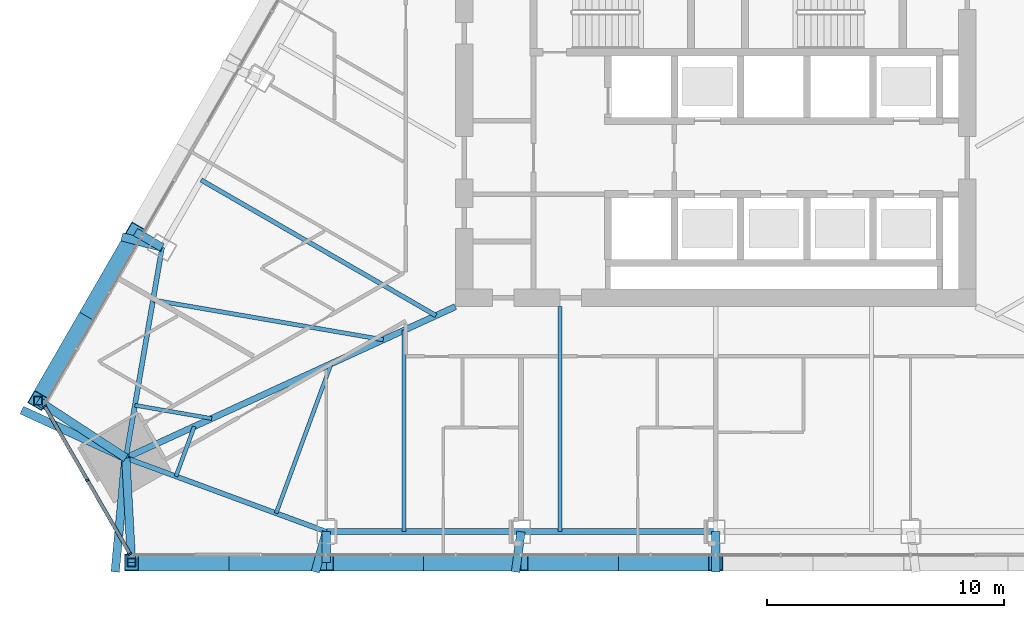
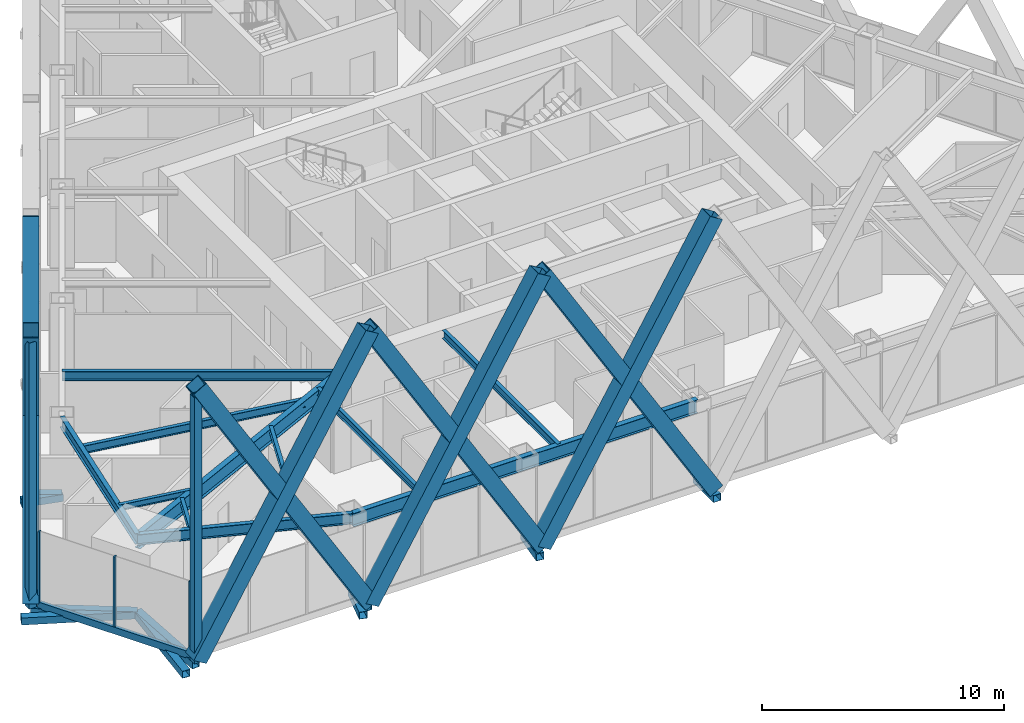
# One storey, part 2 of 19: 24 members, 11 beams, 1 element without a shape of its own.
"""IFC4 building model written with IfcOpenShell, lengths in metres."""

import ifcopenshell
import ifcopenshell.guid

model = None  # the IFC model being written
_history = None  # IfcOwnerHistory: only IFC2X3 demands one
_inside = {}  # id of a spatial element -> (the spatial element, [elements in it])
_under = {}  # id of a project, library or spatial element -> (it, [spatial elements below it])
_declared = {}  # id of a project -> (the project, [libraries it declares])
_typed = {}  # id of a type object -> (the type object, [elements of that type])
_made_of = {}  # id of a material, layer set ... -> (it, [elements and type objects made of it])


def new_model(schema):
    """Start an empty IFC model of exactly this schema.

    Asked for "IFC4X3", IfcOpenShell would pick the latest addendum, in which some entities
    have other attributes; the version numbers below select the first issue.
    IFC2X3 requires an IfcOwnerHistory on every rooted entity: one is made here for all.
    """
    global model, _history
    if schema == "IFC4X3":
        model = ifcopenshell.file(schema_version=(4, 3, 0, 0))
    else:
        model = ifcopenshell.file(schema=schema)
    _inside.clear()
    _under.clear()
    _declared.clear()
    _typed.clear()
    _made_of.clear()
    _history = None
    if model.schema == "IFC2X3":
        org = make("IfcOrganization", Name="unknown")
        user = make(
            "IfcPersonAndOrganization",
            ThePerson=make("IfcPerson", FamilyName="unknown"),
            TheOrganization=org,
        )
        app = make(
            "IfcApplication",
            ApplicationDeveloper=org,
            Version="unknown",
            ApplicationFullName="unknown",
            ApplicationIdentifier="unknown",
        )
        _history = make(
            "IfcOwnerHistory",
            OwningUser=user,
            OwningApplication=app,
            ChangeAction="ADDED",
            CreationDate=0,
        )
    return model


def make(cls, **values):
    """One entity of the class cls with the attributes given. An attribute that is None is left unset."""
    return model.create_entity(
        cls, **{name: value for name, value in values.items() if value is not None}
    )


def rooted(cls, **values):
    """An entity with a GlobalId (a new one), such as an element, a storey or a relation."""
    return make(cls, GlobalId=ifcopenshell.guid.new(), OwnerHistory=_history, **values)


def si_unit(unit_type, name, prefix=None):
    """IfcSIUnit, for example si_unit("LENGTHUNIT", "METRE", prefix="MILLI")."""
    return make("IfcSIUnit", UnitType=unit_type, Prefix=prefix, Name=name)


def assignment(units):
    """IfcUnitAssignment: the units of a project."""
    return None if units is None else make("IfcUnitAssignment", Units=units)


def point(xyz):
    """IfcCartesianPoint."""
    return None if xyz is None else make("IfcCartesianPoint", Coordinates=xyz)


def direction(xyz):
    """IfcDirection."""
    return None if xyz is None else make("IfcDirection", DirectionRatios=xyz)


def frame(location, z_axis=None, x_axis=None):
    """IfcAxis2Placement3D, a coordinate frame: its origin and axes. An axis left out is left unset."""
    return make(
        "IfcAxis2Placement3D",
        Location=point(location),
        Axis=direction(z_axis),
        RefDirection=direction(x_axis),
    )


def frame_2d(location, x_axis=None):
    """IfcAxis2Placement2D, a coordinate frame in the plane: its origin and x axis."""
    return make(
        "IfcAxis2Placement2D", Location=point(location), RefDirection=direction(x_axis)
    )


def origin():
    """The frame at (0, 0, 0) with its axes left unset."""
    return frame((0.0, 0.0, 0.0))


def origin_2d():
    """The frame at (0, 0) in the plane with its x axis left unset."""
    return frame_2d((0.0, 0.0))


def place(relative_to, where):
    """IfcLocalPlacement: puts the frame where relative to a parent placement (None: the world)."""
    return make(
        "IfcLocalPlacement", PlacementRelTo=relative_to, RelativePlacement=where
    )


def context(
    kind, dimensions, precision=None, world=None, true_north=None, identifier=None
):
    """IfcGeometricRepresentationContext, for example the 3D "Model" context."""
    return make(
        "IfcGeometricRepresentationContext",
        ContextIdentifier=identifier,
        ContextType=kind,
        CoordinateSpaceDimension=dimensions,
        Precision=precision,
        WorldCoordinateSystem=world,
        TrueNorth=true_north,
    )


def subcontext(parent, identifier, kind, view, scale=None):
    """IfcGeometricRepresentationSubContext, for example "Body" below "Model"."""
    return make(
        "IfcGeometricRepresentationSubContext",
        ContextIdentifier=identifier,
        ContextType=kind,
        ParentContext=parent,
        TargetScale=scale,
        TargetView=view,
    )


def project(units=None, contexts=None):
    """IfcProject with its units and contexts."""
    return rooted(
        "IfcProject",
        Name="project",
        RepresentationContexts=contexts,
        UnitsInContext=assignment(units),
    )


def spatial(cls, under=None, at=None, **own):
    """A site, building, storey or space (cls), placed at a placement, below another one or the project."""
    s = rooted(cls, ObjectPlacement=at, **own)
    if under is not None:
        _under.setdefault(under.id(), (under, []))[1].append(s)
    return s


def profile(cls, at=None, kind="AREA", **sizes):
    """A parametric profile (cls). Its sizes go by their IFC names, for example OverallWidth=200.0."""
    return make(cls, ProfileType=kind, Position=at, **sizes)


def rectangle(**sizes):
    """IfcRectangleProfileDef."""
    return profile("IfcRectangleProfileDef", **sizes)


def hollow_rectangle(**sizes):
    """IfcRectangleHollowProfileDef."""
    return profile("IfcRectangleHollowProfileDef", **sizes)


def i_section(**sizes):
    """IfcIShapeProfileDef."""
    return profile("IfcIShapeProfileDef", **sizes)


def extrude(swept, where, along, depth):
    """IfcExtrudedAreaSolid: the profile swept, set in the frame where, extruded along a direction by depth."""
    return make(
        "IfcExtrudedAreaSolid",
        SweptArea=swept,
        Position=where,
        ExtrudedDirection=direction(along),
        Depth=depth,
    )


def shape(context_of_items, identifier, shape_type, items):
    """IfcShapeRepresentation: the items that make up one representation, for example the "Body"."""
    return make(
        "IfcShapeRepresentation",
        ContextOfItems=context_of_items,
        RepresentationIdentifier=identifier,
        RepresentationType=shape_type,
        Items=items,
    )


def material(Name=None, Category=None):
    """IfcMaterial."""
    return make("IfcMaterial", Name=Name, Category=Category)


def layer(
    of_material, thickness, ventilated=None, Name=None, Category=None, Priority=None
):
    """IfcMaterialLayer: one layer of a wall or slab, of a material (None: an air gap)."""
    return make(
        "IfcMaterialLayer",
        Material=of_material,
        LayerThickness=thickness,
        IsVentilated=ventilated,
        Name=Name,
        Category=Category,
        Priority=Priority,
    )


def layer_set(layers, Name=None):
    """IfcMaterialLayerSet."""
    return make("IfcMaterialLayerSet", MaterialLayers=layers, LayerSetName=Name)


def material_profile(
    of_material, cross_section, Name=None, Category=None, Priority=None
):
    """IfcMaterialProfile: a cross section and its material."""
    return make(
        "IfcMaterialProfile",
        Name=Name,
        Material=of_material,
        Profile=cross_section,
        Priority=Priority,
        Category=Category,
    )


def profile_set(profiles, Name=None, composite=None):
    """IfcMaterialProfileSet."""
    return make(
        "IfcMaterialProfileSet",
        Name=Name,
        MaterialProfiles=profiles,
        CompositeProfile=composite,
    )


def made_of(thing, what):
    """Note that an element or type object is made of a material, layer set ...; save() writes the relation."""
    if what is not None:
        _made_of.setdefault(what.id(), (what, []))[1].append(thing)
    return thing


def type_object(cls, material=None, **own):
    """A type object (cls), such as IfcWallType, which elements share."""
    return made_of(rooted(cls, **own), material)


def element(
    cls,
    number,
    at=None,
    inside=None,
    cuts=None,
    type_object=None,
    material=None,
    context=None,
    identifier="Body",
    shape_type=None,
    held_by="IfcProductDefinitionShape",
    body=None,
    shapes=None,
    **own,
):
    """One element of the class cls, such as IfcWall. Its Tag is "e" and its number.

    at: its placement. inside: the storey or other place that contains it. cuts: it is an
    opening in that element (IfcRelVoidsElement). A single representation is given by context,
    identifier, shape_type and body (its items); several are given by shapes. held_by: the class
    of the entity that holds the representations. save() writes the other relations.
    """
    e = rooted(cls, Tag="e%d" % number, ObjectPlacement=at, **own)
    if body is not None:
        shapes = [shape(context, identifier, shape_type, body)]
    if shapes is not None:
        e.Representation = make(held_by, Representations=shapes)
    if inside is not None:
        _inside.setdefault(inside.id(), (inside, []))[1].append(e)
    if cuts is not None:
        rooted(
            "IfcRelVoidsElement", RelatingBuildingElement=cuts, RelatedOpeningElement=e
        )
    if type_object is not None:
        _typed.setdefault(type_object.id(), (type_object, []))[1].append(e)
    return made_of(e, material)


def aggregate(whole, parts):
    """IfcRelAggregates: a whole, such as a stair, and the parts it consists of."""
    return rooted("IfcRelAggregates", RelatingObject=whole, RelatedObjects=parts)


def save(model, path):
    """Write the relations noted so far, then the file.

    IfcRelAggregates (storeys below a building ...), IfcRelContainedInSpatialStructure (elements
    in a storey), IfcRelDefinesByType, IfcRelAssociatesMaterial and IfcRelDeclares: one each for
    every whole, place, type object, material and project.
    """
    for whole, parts in _under.values():
        aggregate(whole, parts)
    for where, things in _inside.values():
        rooted(
            "IfcRelContainedInSpatialStructure",
            RelatedElements=things,
            RelatingStructure=where,
        )
    for kind, things in _typed.values():
        rooted("IfcRelDefinesByType", RelatedObjects=things, RelatingType=kind)
    for what, things in _made_of.values():
        rooted("IfcRelAssociatesMaterial", RelatedObjects=things, RelatingMaterial=what)
    for by, libraries in _declared.values():
        rooted("IfcRelDeclares", RelatingContext=by, RelatedDefinitions=libraries)
    model.write(path)


model = new_model("IFC4")

# Units and contexts
model_context = context("Model", 3, precision=1e-05, world=origin(), true_north=direction((0.0, 1.0)))
body_context = subcontext(model_context, "Body", "Model", "MODEL_VIEW")
ifc_project = project(units=[si_unit("LENGTHUNIT", "METRE"), si_unit("AREAUNIT", "SQUARE_METRE"), si_unit("VOLUMEUNIT", "CUBIC_METRE"), si_unit("PLANEANGLEUNIT", "RADIAN"), si_unit("MASSUNIT", "GRAM", prefix="KILO")], contexts=[model_context])

# Site, building, storey
site_placement = place(None, origin())
site = spatial("IfcSite", under=ifc_project, at=site_placement, CompositionType="ELEMENT")
building_placement = place(site_placement, origin())
building = spatial("IfcBuilding", under=site, at=building_placement, Name="Firuza Gate Tower and Library", CompositionType="ELEMENT")
storey_placement = place(building_placement, frame((0.0, 0.0, 233.800048828125)))
storey = spatial("IfcBuildingStorey", under=building, at=storey_placement, Name="L55", CompositionType="ELEMENT", Elevation=233.800048828125)

# Members
ifc_material_1 = material(Name="Steel S355", Category="steel")
ifc_material_profile_1 = material_profile(ifc_material_1, hollow_rectangle(XDim=0.699951171875, YDim=0.699951171875, WallThickness=0.030029296875, at=origin_2d()))
ifc_profile_set_1 = profile_set([ifc_material_profile_1], Name="Steel S355")
member_type_1 = type_object("IfcMemberType", Name="BU700x700x30 Lattice brace", PredefinedType="BRACE", material=ifc_profile_set_1)
for number, where, z_axis, x_axis, name in (
    (1, (50.323486328125, 56.196044921875, 0.0), (0.511990584735, 0.0, 0.85899105999), (0.0, 1.0, 0.0), "Lattice brace S 13.1R"),
    (2, (58.548828125, 56.196044921875, 0.0), (-0.511990584735, 0.0, 0.85899105999), (0.0, -1.0, 0.0), "Lattice brace S 13.1L"),
    (3, (58.548828125, 56.196044921875, 0.0), (0.512001797695, 0.0, 0.85898437655), (0.0, 1.0, 0.0), "Lattice brace S 13.2R"),
    (4, (66.7744140625, 56.196044921875, 0.0), (-0.512001797695, 0.0, 0.85898437655), (0.0, -1.0, 0.0), "Lattice brace S 13.2L"),
    (5, (66.7744140625, 56.196044921875, 0.0), (0.512001797695, 0.0, 0.85898437655), (0.0, 1.0, 0.0), "Lattice brace S 13.3R"),
    (6, (75.0, 56.196044921875, 0.0), (-0.512001797695, 0.0, 0.85898437655), (0.0, -1.0, 0.0), "Lattice brace S 13.3L"),
    (7, (50.48974609375, 70.155029296875, 0.0), (-0.256001119482, -0.443405002033, 0.858985116865), (0.866024454709, -0.500001643842, 0.0), "Lattice brace W 13.6R"),
    (8, (46.376953125, 63.031494140625, 0.0), (0.256001119482, 0.443405002033, 0.858985116865), (-0.866024454709, 0.500001643842, 0.0), "Lattice brace W 13.6L"),
):
    element("IfcMember", number, at=place(storey_placement, frame(where, z_axis=z_axis, x_axis=x_axis)), inside=storey, type_object=member_type_1, Name=name, PredefinedType="BRACE", context=body_context, shape_type="SweptSolid", body=[
        extrude(hollow_rectangle(XDim=0.699951171875, YDim=0.699951171875, WallThickness=0.030029296875, at=origin_2d()), origin(), (0.0, 0.0, 1.0), 16.0654296875),
    ])

# Curtain wall, members
ifc_material_2 = material(Name="Aluminium 6063-T6", Category="aluminium")
ifc_layer = layer(ifc_material_2, 0.14990234375)
ifc_layer_set = layer_set([ifc_layer], Name="Corner curtain wall, chamfers")
curtain_wall_type = type_object("IfcCurtainWallType", Name="Corner curtain wall, chamfers", PredefinedType="NOTDEFINED", material=ifc_layer_set)
curtain_wall_placement = place(storey_placement, origin())
curtain_wall = element("IfcCurtainWall", 9, at=curtain_wall_placement, inside=storey, type_object=curtain_wall_type, Name="CW4 L55 SW corner", PredefinedType="NOTDEFINED")
ifc_material_3 = material(Name="Aluminium 6063-T6", Category="aluminium")
ifc_material_profile_2 = material_profile(ifc_material_3, rectangle(XDim=0.14990234375, YDim=0.080078125, at=origin_2d()))
ifc_profile_set_2 = profile_set([ifc_material_profile_2], Name="Aluminium 6063-T6")
member_type_2 = type_object("IfcMemberType", Name="Curtain wall mullion 80x150", PredefinedType="MULLION", material=ifc_profile_set_2)
member_1_placement = place(storey_placement, frame((46.65673828125, 62.796875, 0.14990234375), z_axis=(0.0, 0.0, 1.0), x_axis=(0.866025403784, 0.5, 0.0)))
member_1 = element("IfcMember", 10, at=member_1_placement, type_object=member_type_2, Name="Mullion", PredefinedType="MULLION", context=body_context, shape_type="SweptSolid", body=[
    extrude(rectangle(XDim=0.14990234375, YDim=0.080078125, at=origin_2d()), origin(), (0.0, 0.0, 1.0), 3.550048828125),
])
member_2_placement = place(storey_placement, frame((48.45849609375, 59.67626953125, 0.14990234375), z_axis=(0.0, 0.0, 1.0), x_axis=(0.866025403784, 0.5, 0.0)))
member_2 = element("IfcMember", 11, at=member_2_placement, type_object=member_type_2, Name="Mullion", PredefinedType="MULLION", context=body_context, shape_type="SweptSolid", body=[
    extrude(rectangle(XDim=0.14990234375, YDim=0.080078125, at=origin_2d()), origin(), (0.0, 0.0, 1.0), 3.550048828125),
])
member_3_placement = place(storey_placement, frame((50.260009765625, 56.5556640625, 0.14990234375), z_axis=(0.0, 0.0, 1.0), x_axis=(0.866025403784, 0.5, 0.0)))
member_3 = element("IfcMember", 12, at=member_3_placement, type_object=member_type_2, Name="Mullion", PredefinedType="MULLION", context=body_context, shape_type="SweptSolid", body=[
    extrude(rectangle(XDim=0.14990234375, YDim=0.080078125, at=origin_2d()), origin(), (0.0, 0.0, 1.0), 3.550048828125),
])
ifc_material_4 = material(Name="Aluminium 6063-T6", Category="aluminium")
ifc_material_profile_3 = material_profile(ifc_material_4, rectangle(XDim=0.14990234375, YDim=0.35009765625, at=origin_2d()))
ifc_profile_set_3 = profile_set([ifc_material_profile_3], Name="Aluminium 6063-T6")
member_type_3 = type_object("IfcMemberType", Name="Curtain wall transom 350x150", PredefinedType="USERDEFINED", material=ifc_profile_set_3)
member_4_placement = place(storey_placement, frame((46.63671875, 62.831298828125, -0.025146484375), z_axis=(0.500005719219, -0.866022101766, 0.0), x_axis=(0.866022101766, 0.500005719219, 0.0)))
member_4 = element("IfcMember", 13, at=member_4_placement, type_object=member_type_3, Name="Transom", ObjectType="TRANSOM", PredefinedType="USERDEFINED", context=body_context, shape_type="SweptSolid", body=[
    extrude(rectangle(XDim=0.14990234375, YDim=0.35009765625, at=origin_2d()), origin(), (0.0, 0.0, 1.0), 7.28662109375),
])
aggregate(curtain_wall, [member_1, member_2, member_3, member_4])

# Members
ifc_material_5 = material(Name="Steel S355", Category="steel")
ifc_material_profile_4 = material_profile(ifc_material_5, hollow_rectangle(XDim=0.355712890625, YDim=0.355712890625, WallThickness=0.014892578125, at=origin_2d()))
ifc_profile_set_4 = profile_set([ifc_material_profile_4], Name="Steel S355")
member_type_4 = type_object("IfcMemberType", Name="HSS356x356x16 Lattice corner stile", PredefinedType="BRACE", material=ifc_profile_set_4)
for number, where, z_axis, x_axis, name in (
    (14, (50.323486328125, 56.196044921875, -0.14013671875), (0.0, 0.0, 1.0), (1.0, 0.0, 0.0), "Lattice corner stile S 13.A"),
    (15, (46.376953125, 63.031494140625, -0.14013671875), (0.0, 0.0, 1.0), (1.0, 0.0, 0.0), "Lattice corner stile W 13.B"),
):
    element("IfcMember", number, at=place(storey_placement, frame(where, z_axis=z_axis, x_axis=x_axis)), inside=storey, type_object=member_type_4, Name=name, PredefinedType="BRACE", context=body_context, shape_type="SweptSolid", body=[
        extrude(hollow_rectangle(XDim=0.355712890625, YDim=0.355712890625, WallThickness=0.014892578125, at=origin_2d()), origin(), (0.0, 0.0, 1.0), 13.440185546875),
    ])
ifc_material_6 = material(Name="Steel S355", Category="steel")
ifc_material_profile_5 = material_profile(ifc_material_6, hollow_rectangle(XDim=0.355712890625, YDim=0.355712890625, WallThickness=0.014892578125, at=origin_2d()))
ifc_profile_set_5 = profile_set([ifc_material_profile_5], Name="Steel S355")
member_type_5 = type_object("IfcMemberType", Name="HSS356x356x16 Lattice node tie", PredefinedType="BRACE", material=ifc_profile_set_5)
member_5_placement = place(storey_placement, frame((50.082275390625, 60.61376953125, -0.320068359375), z_axis=(-0.092865407282, -0.995678671124, 0.0), x_axis=(0.995678671124, -0.092865407282, 0.0)))
element("IfcMember", 16, at=member_5_placement, inside=storey, type_object=member_type_5, Name="Lattice node tie S L55 300", PredefinedType="BRACE", context=body_context, shape_type="SweptSolid", body=[
    extrude(hollow_rectangle(XDim=0.355712890625, YDim=0.355712890625, WallThickness=0.014892578125, at=origin_2d()), origin(), (0.0, 0.0, 1.0), 4.83740234375),
])
member_6_placement = place(storey_placement, frame((50.082275390625, 60.61376953125, -0.320068359375), z_axis=(0.054519511079, -0.998512705433, 0.0), x_axis=(0.998512705433, 0.054519511079, 0.0)))
element("IfcMember", 17, at=member_6_placement, inside=storey, type_object=member_type_5, Name="Lattice node tie S L55 301", PredefinedType="BRACE", context=body_context, shape_type="SweptSolid", body=[
    extrude(hollow_rectangle(XDim=0.355712890625, YDim=0.355712890625, WallThickness=0.014892578125, at=origin_2d()), origin(), (0.0, 0.0, 1.0), 4.42431640625),
])
member_7_placement = place(storey_placement, frame((58.548828125, 57.49609375, -0.320068359375), z_axis=(-0.261485479659, -0.965207409797, 0.0), x_axis=(0.965207409797, -0.261485479659, 0.0)))
element("IfcMember", 18, at=member_7_placement, inside=storey, type_object=member_type_5, Name="Lattice node tie S L55 302", PredefinedType="BRACE", context=body_context, shape_type="SweptSolid", body=[
    extrude(hollow_rectangle(XDim=0.355712890625, YDim=0.355712890625, WallThickness=0.014892578125, at=origin_2d()), origin(), (0.0, 0.0, 1.0), 1.760009765625),
])
member_8_placement = place(storey_placement, frame((58.548828125, 57.49609375, -0.320068359375), z_axis=(0.0, -1.0, 0.0), x_axis=(1.0, 0.0, 0.0)))
element("IfcMember", 19, at=member_8_placement, inside=storey, type_object=member_type_5, Name="Lattice node tie S L55 303", PredefinedType="BRACE", context=body_context, shape_type="SweptSolid", body=[
    extrude(hollow_rectangle(XDim=0.355712890625, YDim=0.355712890625, WallThickness=0.014892578125, at=origin_2d()), origin(), (0.0, 0.0, 1.0), 1.300048828125),
])
member_9_placement = place(storey_placement, frame((66.7744140625, 57.49609375, -0.320068359375), z_axis=(-0.13415982244, -0.990959707578, 0.0), x_axis=(0.990959707578, -0.13415982244, 0.0)))
element("IfcMember", 20, at=member_9_placement, inside=storey, type_object=member_type_5, Name="Lattice node tie S L55 304", PredefinedType="BRACE", context=body_context, shape_type="SweptSolid", body=[
    extrude(hollow_rectangle(XDim=0.355712890625, YDim=0.355712890625, WallThickness=0.014892578125, at=origin_2d()), origin(), (0.0, 0.0, 1.0), 1.714111328125),
])
member_10_placement = place(storey_placement, frame((75.0, 57.49609375, -0.320068359375), z_axis=(0.0, -1.0, 0.0), x_axis=(1.0, 0.0, 0.0)))
element("IfcMember", 21, at=member_10_placement, inside=storey, type_object=member_type_5, Name="Lattice node tie S L55 305", PredefinedType="BRACE", context=body_context, shape_type="SweptSolid", body=[
    extrude(hollow_rectangle(XDim=0.355712890625, YDim=0.355712890625, WallThickness=0.014892578125, at=origin_2d()), origin(), (0.0, 0.0, 1.0), 1.69873046875),
])
member_11_placement = place(storey_placement, frame((50.082275390625, 60.61376953125, -0.320068359375), z_axis=(-0.90872599947, 0.417393169431, 0.0), x_axis=(-0.417393169431, -0.90872599947, 0.0)))
element("IfcMember", 22, at=member_11_placement, inside=storey, type_object=member_type_5, Name="Lattice node tie W L55 311", PredefinedType="BRACE", context=body_context, shape_type="SweptSolid", body=[
    extrude(hollow_rectangle(XDim=0.355712890625, YDim=0.355712890625, WallThickness=0.014892578125, at=origin_2d()), origin(), (0.0, 0.0, 1.0), 4.837158203125),
])
member_12_placement = place(storey_placement, frame((50.082275390625, 60.61376953125, -0.320068359375), z_axis=(-0.837485429113, 0.546459656355, 0.0), x_axis=(-0.546459656355, -0.837485429113, 0.0)))
element("IfcMember", 23, at=member_12_placement, inside=storey, type_object=member_type_5, Name="Lattice node tie W L55 312", PredefinedType="BRACE", context=body_context, shape_type="SweptSolid", body=[
    extrude(hollow_rectangle(XDim=0.355712890625, YDim=0.355712890625, WallThickness=0.014892578125, at=origin_2d()), origin(), (0.0, 0.0, 1.0), 4.42431640625),
])
member_13_placement = place(storey_placement, frame((51.615478515625, 69.5048828125, -0.320068359375), z_axis=(-0.966643622206, 0.256125179646, 0.0), x_axis=(-0.256125179646, -0.966643622206, 0.0)))
element("IfcMember", 24, at=member_13_placement, inside=storey, type_object=member_type_5, Name="Lattice node tie W L55 313", PredefinedType="BRACE", context=body_context, shape_type="SweptSolid", body=[
    extrude(hollow_rectangle(XDim=0.355712890625, YDim=0.355712890625, WallThickness=0.014892578125, at=origin_2d()), origin(), (0.0, 0.0, 1.0), 1.759521484375),
])
member_14_placement = place(storey_placement, frame((51.615478515625, 69.5048828125, -0.320068359375), z_axis=(-0.86595725628, 0.500118016368, 0.0), x_axis=(-0.500118016368, -0.86595725628, 0.0)))
element("IfcMember", 25, at=member_14_placement, inside=storey, type_object=member_type_5, Name="Lattice node tie W L55 314", PredefinedType="BRACE", context=body_context, shape_type="SweptSolid", body=[
    extrude(hollow_rectangle(XDim=0.355712890625, YDim=0.355712890625, WallThickness=0.014892578125, at=origin_2d()), origin(), (0.0, 0.0, 1.0), 1.300048828125),
])

# Beams
ifc_material_7 = material(Name="Steel S355", Category="steel")
ifc_material_profile_6 = material_profile(ifc_material_7, i_section(OverallWidth=0.1650390625, OverallDepth=0.31005859375, WebThickness=0.005859375, FlangeThickness=0.009765625, at=origin_2d()))
ifc_profile_set_6 = profile_set([ifc_material_profile_6], Name="Steel S355")
beam_type_1 = type_object("IfcBeamType", Name="W310x39 Floor beam", PredefinedType="JOIST", material=ifc_profile_set_6)
beam_1_placement = place(storey_placement, frame((50.465576171875, 62.83642578125, 3.544921875), z_axis=(0.985455831019, -0.169931766042, 0.0), x_axis=(0.169931766042, 0.985455831019, 0.0)))
element("IfcBeam", 26, at=beam_1_placement, inside=storey, type_object=beam_type_1, Name="Floor beam L55 s01", PredefinedType="JOIST", context=body_context, shape_type="SweptSolid", body=[
    extrude(i_section(OverallWidth=0.1650390625, OverallDepth=0.31005859375, WebThickness=0.005859375, FlangeThickness=0.009765625, at=origin_2d()), origin(), (0.0, 0.0, 1.0), 3.2900390625),
])
beam_2_placement = place(storey_placement, frame((52.198974609375, 59.834228515625, 3.544921875), z_axis=(0.345503762559, 0.938417364533, 0.0), x_axis=(-0.938417364533, 0.345503762559, 0.0)))
element("IfcBeam", 27, at=beam_2_placement, inside=storey, type_object=beam_type_1, Name="Floor beam L55 s10", PredefinedType="JOIST", context=body_context, shape_type="SweptSolid", body=[
    extrude(i_section(OverallWidth=0.1650390625, OverallDepth=0.31005859375, WebThickness=0.005859375, FlangeThickness=0.009765625, at=origin_2d()), origin(), (0.0, 0.0, 1.0), 2.244873046875),
])
beam_3_placement = place(storey_placement, frame((56.43212890625, 58.275390625, 3.544921875), z_axis=(0.3455793619, 0.938389527131, 0.0), x_axis=(-0.938389527131, 0.3455793619, 0.0)))
element("IfcBeam", 28, at=beam_3_placement, inside=storey, type_object=beam_type_1, Name="Floor beam L55 s11", PredefinedType="JOIST", context=body_context, shape_type="SweptSolid", body=[
    extrude(i_section(OverallWidth=0.1650390625, OverallDepth=0.31005859375, WebThickness=0.005859375, FlangeThickness=0.009765625, at=origin_2d()), origin(), (0.0, 0.0, 1.0), 6.73486328125),
])
ifc_material_8 = material(Name="Steel S355", Category="steel")
ifc_material_profile_7 = material_profile(ifc_material_8, i_section(OverallWidth=0.1708984375, OverallDepth=0.35498046875, WebThickness=0.007080078125, FlangeThickness=0.01171875, at=origin_2d()))
ifc_profile_set_7 = profile_set([ifc_material_profile_7], Name="Steel S355")
beam_type_2 = type_object("IfcBeamType", Name="W360x51 Floor beam", PredefinedType="JOIST", material=ifc_profile_set_7)
beam_4_placement = place(storey_placement, frame((61.839111328125, 57.49609375, 3.5224609375), z_axis=(0.0, 1.0, 0.0), x_axis=(-1.0, 0.0, 0.0)))
element("IfcBeam", 29, at=beam_4_placement, inside=storey, type_object=beam_type_2, Name="Floor beam L55 s20", PredefinedType="JOIST", context=body_context, shape_type="SweptSolid", body=[
    extrude(i_section(OverallWidth=0.1708984375, OverallDepth=0.35498046875, WebThickness=0.007080078125, FlangeThickness=0.01171875, at=origin_2d()), origin(), (0.0, 0.0, 1.0), 8.512451171875),
])
ifc_material_9 = material(Name="Steel S355", Category="steel")
ifc_material_profile_8 = material_profile(ifc_material_9, i_section(OverallWidth=0.177978515625, OverallDepth=0.406982421875, WebThickness=0.0078125, FlangeThickness=0.0126953125, at=origin_2d()))
ifc_profile_set_8 = profile_set([ifc_material_profile_8], Name="Steel S355")
beam_type_3 = type_object("IfcBeamType", Name="W410x60 Floor beam", PredefinedType="JOIST", material=ifc_profile_set_8)
beam_5_placement = place(storey_placement, frame((51.232177734375, 67.2822265625, 3.496337890625), z_axis=(0.985452403009, -0.169951644313, 0.0), x_axis=(0.169951644313, 0.985452403009, 0.0)))
element("IfcBeam", 30, at=beam_5_placement, inside=storey, type_object=beam_type_3, Name="Floor beam L55 s00", PredefinedType="JOIST", context=body_context, shape_type="SweptSolid", body=[
    extrude(i_section(OverallWidth=0.177978515625, OverallDepth=0.406982421875, WebThickness=0.0078125, FlangeThickness=0.0126953125, at=origin_2d()), origin(), (0.0, 0.0, 1.0), 9.870361328125),
])
beam_6_placement = place(storey_placement, frame((68.419677734375, 57.49609375, 3.496337890625), z_axis=(0.0, 1.0, 0.0), x_axis=(-1.0, 0.0, 0.0)))
element("IfcBeam", 31, at=beam_6_placement, inside=storey, type_object=beam_type_3, Name="Floor beam L55 s21", PredefinedType="JOIST", context=body_context, shape_type="SweptSolid", body=[
    extrude(i_section(OverallWidth=0.177978515625, OverallDepth=0.406982421875, WebThickness=0.0078125, FlangeThickness=0.0126953125, at=origin_2d()), origin(), (0.0, 0.0, 1.0), 9.50390625),
])
ifc_material_10 = material(Name="Steel S355", Category="steel")
ifc_material_profile_9 = material_profile(ifc_material_10, i_section(OverallWidth=0.18994140625, OverallDepth=0.45703125, WebThickness=0.009033203125, FlangeThickness=0.014404296875, at=origin_2d()))
ifc_profile_set_9 = profile_set([ifc_material_profile_9], Name="Steel S355")
beam_type_4 = type_object("IfcBeamType", Name="W460x74 Floor beam", PredefinedType="JOIST", material=ifc_profile_set_9)
beam_7_placement = place(storey_placement, frame((53.2607421875, 72.354248046875, 3.471435546875), z_axis=(0.866023783073, -0.500002807145, 0.0), x_axis=(0.500002807145, 0.866023783073, 0.0)))
element("IfcBeam", 32, at=beam_7_placement, inside=storey, type_object=beam_type_4, Name="Floor beam L55 s84", PredefinedType="JOIST", context=body_context, shape_type="SweptSolid", body=[
    extrude(i_section(OverallWidth=0.18994140625, OverallDepth=0.45703125, WebThickness=0.009033203125, FlangeThickness=0.014404296875, at=origin_2d()), origin(), (0.0, 0.0, 1.0), 11.4580078125),
])
ifc_material_11 = material(Name="Steel S355", Category="steel")
ifc_material_profile_10 = material_profile(ifc_material_11, i_section(OverallWidth=0.212890625, OverallDepth=0.5390625, WebThickness=0.01171875, FlangeThickness=0.018798828125, at=origin_2d()))
ifc_profile_set_10 = profile_set([ifc_material_profile_10], Name="Steel S355")
beam_type_5 = type_object("IfcBeamType", Name="W530x109 Edge beam", PredefinedType="SPANDREL", material=ifc_profile_set_10)
beam_8_placement = place(storey_placement, frame((51.615478515625, 69.5048828125, 3.430419921875), z_axis=(-0.169934101, -0.985455428377, 0.0), x_axis=(0.985455428377, -0.169934101, 0.0)))
element("IfcBeam", 33, at=beam_8_placement, inside=storey, type_object=beam_type_5, Name="Edge beam L55 e00", PredefinedType="SPANDREL", context=body_context, shape_type="SweptSolid", body=[
    extrude(i_section(OverallWidth=0.212890625, OverallDepth=0.5390625, WebThickness=0.01171875, FlangeThickness=0.018798828125, at=origin_2d()), origin(), (0.0, 0.0, 1.0), 9.0224609375),
])
beam_9_placement = place(storey_placement, frame((50.082275390625, 60.61376953125, 3.430419921875), z_axis=(0.938399929304, -0.345551114427, 0.0), x_axis=(0.345551114427, 0.938399929304, 0.0)))
element("IfcBeam", 34, at=beam_9_placement, inside=storey, type_object=beam_type_5, Name="Edge beam L55 e10", PredefinedType="SPANDREL", context=body_context, shape_type="SweptSolid", body=[
    extrude(i_section(OverallWidth=0.212890625, OverallDepth=0.5390625, WebThickness=0.01171875, FlangeThickness=0.018798828125, at=origin_2d()), origin(), (0.0, 0.0, 1.0), 9.022216796875),
])
ifc_material_12 = material(Name="Steel S355", Category="steel")
ifc_material_profile_11 = material_profile(ifc_material_12, i_section(OverallWidth=0.2529296875, OverallDepth=0.677978515625, WebThickness=0.01171875, FlangeThickness=0.016357421875, at=origin_2d()))
ifc_profile_set_11 = profile_set([ifc_material_profile_11], Name="Steel S355")
beam_type_6 = type_object("IfcBeamType", Name="W690x125 Edge beam", PredefinedType="SPANDREL", material=ifc_profile_set_11)
beam_10_placement = place(storey_placement, frame((58.548828125, 57.49609375, 3.36083984375), z_axis=(1.0, 0.0, 0.0), x_axis=(0.0, 1.0, 0.0)))
element("IfcBeam", 35, at=beam_10_placement, inside=storey, type_object=beam_type_6, Name="Edge beam L55 e20", PredefinedType="SPANDREL", context=body_context, shape_type="SweptSolid", body=[
    extrude(i_section(OverallWidth=0.2529296875, OverallDepth=0.677978515625, WebThickness=0.01171875, FlangeThickness=0.016357421875, at=origin_2d()), origin(), (0.0, 0.0, 1.0), 16.451171875),
])
ifc_material_13 = material(Name="Steel S355", Category="steel")
ifc_material_profile_12 = material_profile(ifc_material_13, i_section(OverallWidth=0.264892578125, OverallDepth=0.7529296875, WebThickness=0.01318359375, FlangeThickness=0.01708984375, at=origin_2d()))
ifc_profile_set_12 = profile_set([ifc_material_profile_12], Name="Steel S355")
beam_type_7 = type_object("IfcBeamType", Name="W760x147 Girder", PredefinedType="BEAM", material=ifc_profile_set_12)
beam_11_placement = place(storey_placement, frame((50.082275390625, 60.61376953125, 3.323486328125), z_axis=(0.908884831749, 0.417047194711, 0.0), x_axis=(-0.417047194711, 0.908884831749, 0.0)))
element("IfcBeam", 36, at=beam_11_placement, inside=storey, type_object=beam_type_7, Name="Girder L55 gSW", PredefinedType="BEAM", context=body_context, shape_type="SweptSolid", body=[
    extrude(i_section(OverallWidth=0.264892578125, OverallDepth=0.7529296875, WebThickness=0.01318359375, FlangeThickness=0.01708984375, at=origin_2d()), origin(), (0.0, 0.0, 1.0), 15.31298828125),
])

save(model, "model.ifc")
